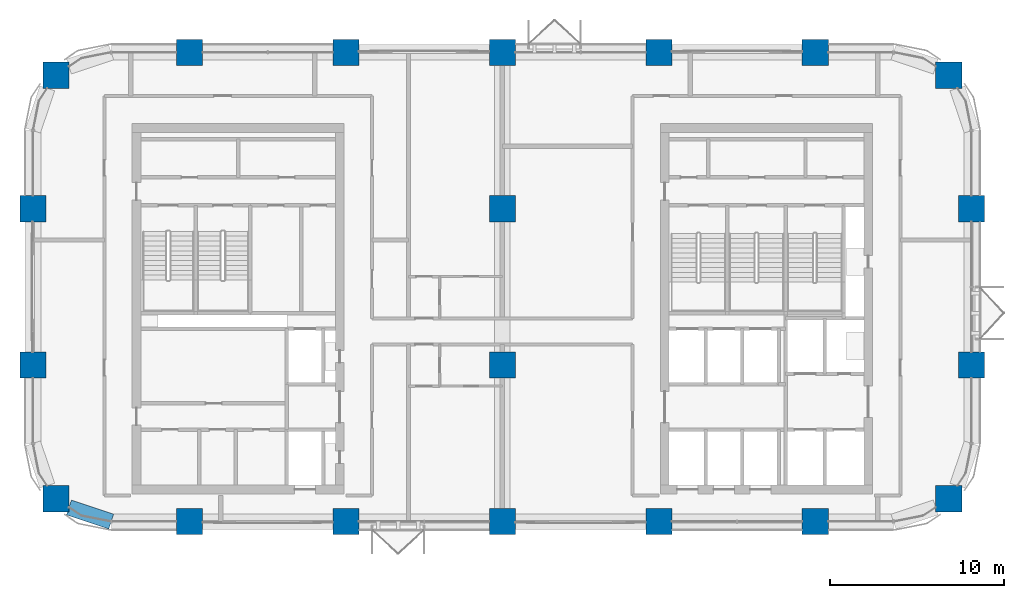
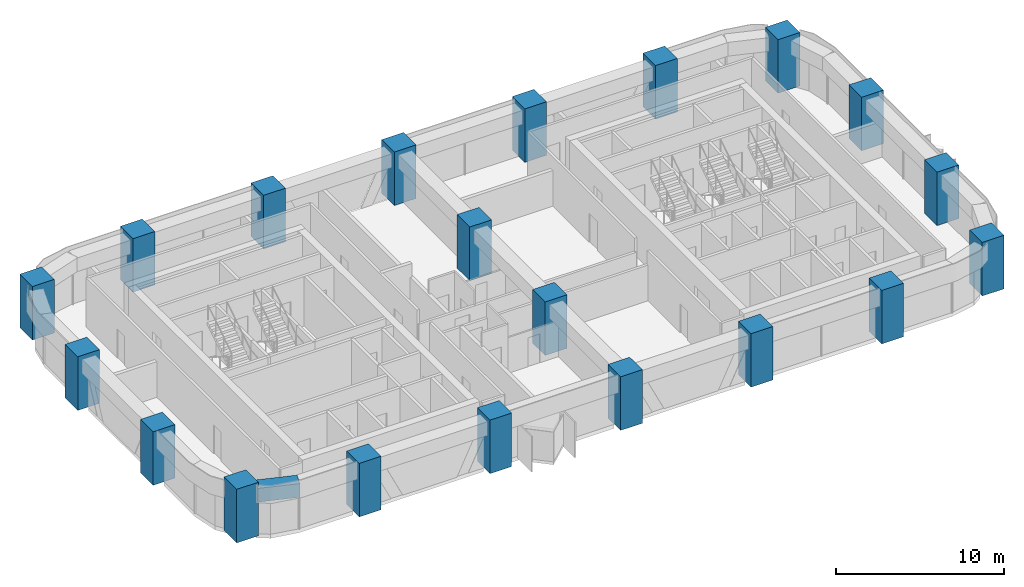
# One storey, part 1 of 13: 20 columns, 1 beam.
"""IFC4 building model written with IfcOpenShell, lengths in metres."""

from ifc_helpers import new_model, si_unit, direction, frame, origin, origin_2d, place, context, subcontext, project, spatial, rectangle, extrude, material, material_profile, profile_set, type_object, element, save


model = new_model("IFC4")

# Units and contexts
model_context = context("Model", 3, precision=1e-05, world=origin(), true_north=direction((0.0, 1.0)))
body_context = subcontext(model_context, "Body", "Model", "MODEL_VIEW")
ifc_project = project(units=[si_unit("LENGTHUNIT", "METRE"), si_unit("AREAUNIT", "SQUARE_METRE"), si_unit("VOLUMEUNIT", "CUBIC_METRE"), si_unit("PLANEANGLEUNIT", "RADIAN"), si_unit("MASSUNIT", "GRAM", prefix="KILO")], contexts=[model_context])

# Site, building, storey
site_placement = place(None, origin())
site = spatial("IfcSite", under=ifc_project, at=site_placement, CompositionType="ELEMENT")
building_placement = place(site_placement, origin())
building = spatial("IfcBuilding", under=site, at=building_placement, Name="Tessera Arch", CompositionType="ELEMENT")
storey_placement = place(building_placement, frame((0.0, 0.0, 162.199951171875)))
storey = spatial("IfcBuildingStorey", under=building, at=storey_placement, Name="L38", CompositionType="ELEMENT", Elevation=162.199951171875)

# Columns
ifc_material_1 = material(Name="Concrete C70/85", Category="concrete")
ifc_material_profile_1 = material_profile(ifc_material_1, rectangle(XDim=1.5, YDim=1.5, at=origin_2d()), Name="RC column 1500 x 1500 Concrete C70/85")
ifc_profile_set_1 = profile_set([ifc_material_profile_1], Name="Concrete C70/85")
column_type = type_object("IfcColumnType", Name="RC column 1500 x 1500 Concrete C70/85", PredefinedType="COLUMN", material=ifc_profile_set_1)
for number, where, z_axis, x_axis, name in (
    (1, (1.318115234375, 28.318115234375, 0.0), (0.0, 0.0, 1.0), (1.0, 0.0, 0.0), "Column C1D L38"),
    (2, (0.0, 36.0, 0.0), (0.0, 0.0, 1.0), (1.0, 0.0, 0.0), "Column C1E L38"),
    (3, (0.0, 45.0, 0.0), (0.0, 0.0, 1.0), (1.0, 0.0, 0.0), "Column C1F L38"),
    (4, (1.318115234375, 52.681884765625, 0.0), (0.0, 0.0, 1.0), (1.0, 0.0, 0.0), "Column C1G L38"),
    (5, (9.0, 27.0, 0.0), (0.0, 0.0, 1.0), (1.0, 0.0, 0.0), "Column C2D L38"),
    (6, (9.0, 54.0, 0.0), (0.0, 0.0, 1.0), (1.0, 0.0, 0.0), "Column C2G L38"),
    (7, (18.0, 27.0, 0.0), (0.0, 0.0, 1.0), (1.0, 0.0, 0.0), "Column C3D L38"),
    (8, (18.0, 54.0, 0.0), (0.0, 0.0, 1.0), (1.0, 0.0, 0.0), "Column C3G L38"),
    (9, (27.0, 27.0, 0.0), (0.0, 0.0, 1.0), (1.0, 0.0, 0.0), "Column C4D L38"),
    (10, (27.0, 36.0, 0.0), (0.0, 0.0, 1.0), (1.0, 0.0, 0.0), "Column C4E L38"),
    (11, (27.0, 45.0, 0.0), (0.0, 0.0, 1.0), (1.0, 0.0, 0.0), "Column C4F L38"),
    (12, (27.0, 54.0, 0.0), (0.0, 0.0, 1.0), (1.0, 0.0, 0.0), "Column C4G L38"),
    (13, (36.0, 27.0, 0.0), (0.0, 0.0, 1.0), (1.0, 0.0, 0.0), "Column C5D L38"),
    (14, (36.0, 54.0, 0.0), (0.0, 0.0, 1.0), (1.0, 0.0, 0.0), "Column C5G L38"),
    (15, (45.0, 27.0, 0.0), (0.0, 0.0, 1.0), (1.0, 0.0, 0.0), "Column C6D L38"),
    (16, (45.0, 54.0, 0.0), (0.0, 0.0, 1.0), (1.0, 0.0, 0.0), "Column C6G L38"),
    (17, (52.681884765625, 28.318115234375, 0.0), (0.0, 0.0, 1.0), (1.0, 0.0, 0.0), "Column C7D L38"),
    (18, (54.0, 36.0, 0.0), (0.0, 0.0, 1.0), (1.0, 0.0, 0.0), "Column C7E L38"),
    (19, (54.0, 45.0, 0.0), (0.0, 0.0, 1.0), (1.0, 0.0, 0.0), "Column C7F L38"),
    (20, (52.681884765625, 52.681884765625, 0.0), (0.0, 0.0, 1.0), (1.0, 0.0, 0.0), "Column C7G L38"),
):
    element("IfcColumn", number, at=place(storey_placement, frame(where, z_axis=z_axis, x_axis=x_axis)), inside=storey, type_object=column_type, Name=name, PredefinedType="COLUMN", context=body_context, shape_type="SweptSolid", body=[
        extrude(rectangle(XDim=1.5, YDim=1.5, at=origin_2d()), origin(), (0.0, 0.0, 1.0), 3.900146484375),
    ])

# Beam
ifc_material_2 = material(Name="Concrete C70/85", Category="concrete")
ifc_material_profile_2 = material_profile(ifc_material_2, rectangle(XDim=0.89990234375, YDim=1.0, at=origin_2d()), Name="RC spandrel beam 900 x 1000 Concrete C70/85")
ifc_profile_set_2 = profile_set([ifc_material_profile_2], Name="Concrete C70/85")
beam_type = type_object("IfcBeamType", Name="RC spandrel beam 900 x 1000 Concrete C70/85", PredefinedType="BEAM", material=ifc_profile_set_2)
beam_placement = place(storey_placement, frame((2.068115234375, 27.81689453125, 3.10009765625), z_axis=(0.947947973234, -0.31842525032, 0.0), x_axis=(0.31842525032, 0.947947973234, 0.0)))
element("IfcBeam", 21, at=beam_placement, inside=storey, type_object=beam_type, Name="Spandrel beam L38 S27.0/0.1", PredefinedType="BEAM", context=body_context, shape_type="SweptSolid", body=[
    extrude(rectangle(XDim=0.89990234375, YDim=1.0, at=origin_2d()), origin(), (0.0, 0.0, 1.0), 2.5654296875),
])

save(model, "model.ifc")
